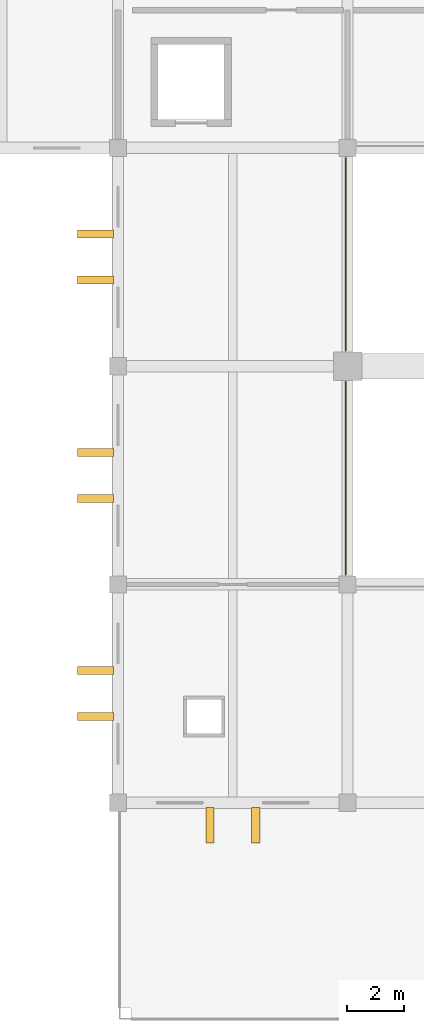
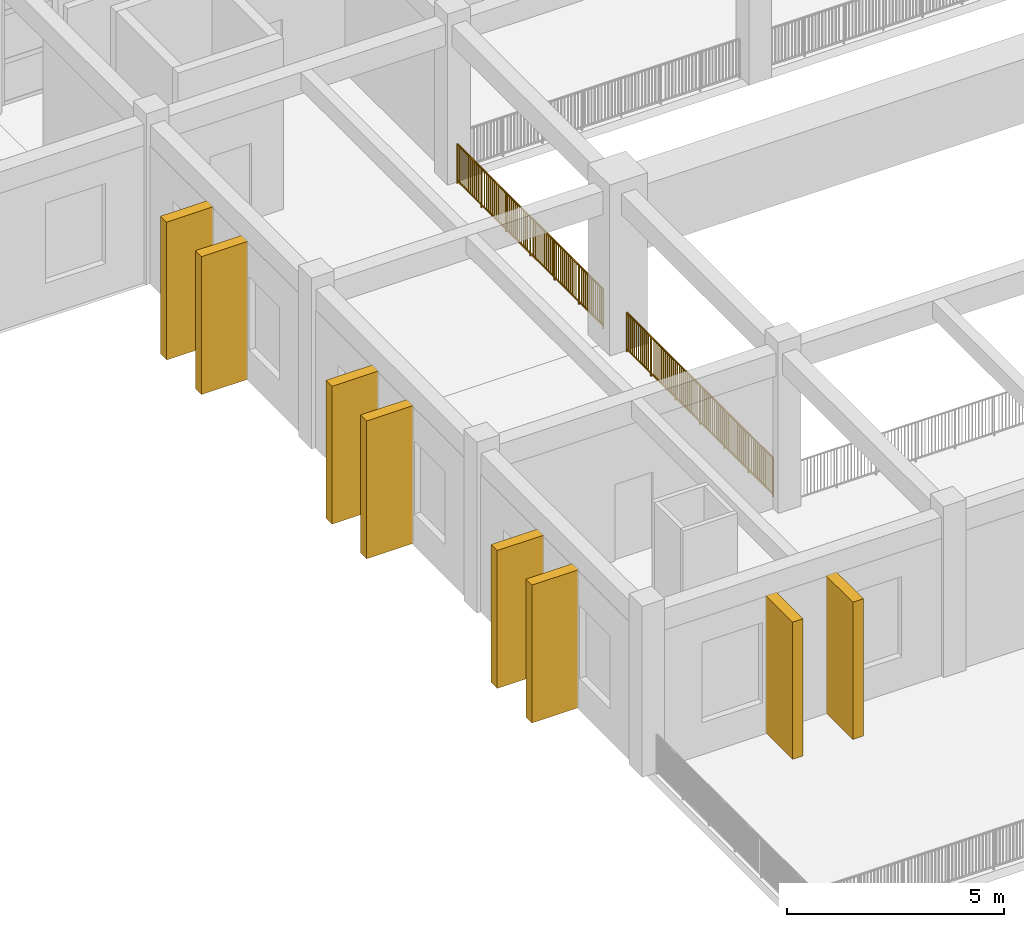
# One storey, part 92 of 101: 8 shading devices, 2 railings.
"""IFC4 building model written with IfcOpenShell, lengths in metres."""

from ifc_helpers import new_model, si_unit, direction, frame, origin, origin_2d, place, context, subcontext, project, spatial, rectangle, circle, extrude, material, type_object, element, save


model = new_model("IFC4")

# Units and contexts
model_context = context("Model", 3, precision=1e-05, world=origin(), true_north=direction((0.0, 1.0)))
body_context = subcontext(model_context, "Body", "Model", "MODEL_VIEW")
ifc_project = project(units=[si_unit("LENGTHUNIT", "METRE"), si_unit("AREAUNIT", "SQUARE_METRE"), si_unit("VOLUMEUNIT", "CUBIC_METRE"), si_unit("PLANEANGLEUNIT", "RADIAN"), si_unit("MASSUNIT", "GRAM", prefix="KILO")], contexts=[model_context])

# Site, building, storey
site_placement = place(None, origin())
site = spatial("IfcSite", under=ifc_project, at=site_placement, CompositionType="ELEMENT")
building_placement = place(site_placement, origin())
building = spatial("IfcBuilding", under=site, at=building_placement, Name="Zantavel Square City Hall", CompositionType="ELEMENT")
storey_placement = place(building_placement, frame((0.0, 0.0, 5.39990234375)))
storey = spatial("IfcBuildingStorey", under=building, at=storey_placement, Name="L02", CompositionType="ELEMENT", Elevation=5.39990234375)

# Railings
ifc_material_1 = material(Name="Steel ASTM A500 Grade B", Category="steel")
railing_type = type_object("IfcRailingType", Name="Atrium & Gallery Steel Guard Railing 1100mm", PredefinedType="GUARDRAIL", material=ifc_material_1)
railing_1_placement = place(storey_placement, frame((127.929931640625, 22.260009765625, 0.0)))
element("IfcRailing", 1, at=railing_1_placement, inside=storey, type_object=railing_type, Name="L02 Atrium Void Guard 019", PredefinedType="GUARDRAIL", context=body_context, shape_type="SweptSolid", body=[
    extrude(circle(Radius=0.02392578125, at=origin_2d()), frame((0.0, 0.0, 1.09619140625), z_axis=(0.0, -1.0, 0.0), x_axis=(1.0, 0.0, 0.0)), (0.0, 0.0, 1.0), 6.719970703125),
    extrude(rectangle(XDim=0.031982421875, YDim=0.031982421875, at=origin_2d()), frame((0.0, 0.0, 0.080078125), z_axis=(0.0, -1.0, 0.0), x_axis=(1.0, 0.0, 0.0)), (0.0, 0.0, 1.0), 6.719970703125),
    extrude(rectangle(XDim=0.02197265625, YDim=0.02197265625, at=origin_2d()), frame((0.0, -0.089599609375, 0.080078125)), (0.0, 0.0, 1.0), 0.991943359375),
    extrude(rectangle(XDim=0.02197265625, YDim=0.02197265625, at=origin_2d()), frame((0.0, -0.17919921875, 0.080078125)), (0.0, 0.0, 1.0), 0.991943359375),
    extrude(rectangle(XDim=0.02197265625, YDim=0.02197265625, at=origin_2d()), frame((0.0, -0.268798828125, 0.080078125)), (0.0, 0.0, 1.0), 0.991943359375),
    extrude(rectangle(XDim=0.02197265625, YDim=0.02197265625, at=origin_2d()), frame((0.0, -0.3583984375, 0.080078125)), (0.0, 0.0, 1.0), 0.991943359375),
    extrude(rectangle(XDim=0.02197265625, YDim=0.02197265625, at=origin_2d()), frame((0.0, -0.447998046875, 0.080078125)), (0.0, 0.0, 1.0), 0.991943359375),
    extrude(rectangle(XDim=0.02197265625, YDim=0.02197265625, at=origin_2d()), frame((0.0, -0.53759765625, 0.080078125)), (0.0, 0.0, 1.0), 0.991943359375),
    extrude(rectangle(XDim=0.02197265625, YDim=0.02197265625, at=origin_2d()), frame((0.0, -0.627197265625, 0.080078125)), (0.0, 0.0, 1.0), 0.991943359375),
    extrude(rectangle(XDim=0.02197265625, YDim=0.02197265625, at=origin_2d()), frame((0.0, -0.716796875, 0.080078125)), (0.0, 0.0, 1.0), 0.991943359375),
    extrude(rectangle(XDim=0.02197265625, YDim=0.02197265625, at=origin_2d()), frame((0.0, -0.806396484375, 0.080078125)), (0.0, 0.0, 1.0), 0.991943359375),
    extrude(rectangle(XDim=0.02197265625, YDim=0.02197265625, at=origin_2d()), frame((0.0, -0.89599609375, 0.080078125)), (0.0, 0.0, 1.0), 0.991943359375),
    extrude(rectangle(XDim=0.02197265625, YDim=0.02197265625, at=origin_2d()), frame((0.0, -0.985595703125, 0.080078125)), (0.0, 0.0, 1.0), 0.991943359375),
    extrude(rectangle(XDim=0.02197265625, YDim=0.02197265625, at=origin_2d()), frame((0.0, -1.25439453125, 0.080078125)), (0.0, 0.0, 1.0), 0.991943359375),
    extrude(rectangle(XDim=0.02197265625, YDim=0.02197265625, at=origin_2d()), frame((0.0, -1.343994140625, 0.080078125)), (0.0, 0.0, 1.0), 0.991943359375),
    extrude(rectangle(XDim=0.02197265625, YDim=0.02197265625, at=origin_2d()), frame((0.0, -1.43359375, 0.080078125)), (0.0, 0.0, 1.0), 0.991943359375),
    extrude(rectangle(XDim=0.02197265625, YDim=0.02197265625, at=origin_2d()), frame((0.0, -1.523193359375, 0.080078125)), (0.0, 0.0, 1.0), 0.991943359375),
    extrude(rectangle(XDim=0.02197265625, YDim=0.02197265625, at=origin_2d()), frame((0.0, -1.61279296875, 0.080078125)), (0.0, 0.0, 1.0), 0.991943359375),
    extrude(rectangle(XDim=0.02197265625, YDim=0.02197265625, at=origin_2d()), frame((0.0, -1.702392578125, 0.080078125)), (0.0, 0.0, 1.0), 0.991943359375),
    extrude(rectangle(XDim=0.02197265625, YDim=0.02197265625, at=origin_2d()), frame((0.0, -1.7919921875, 0.080078125)), (0.0, 0.0, 1.0), 0.991943359375),
    extrude(rectangle(XDim=0.02197265625, YDim=0.02197265625, at=origin_2d()), frame((0.0, -1.881591796875, 0.080078125)), (0.0, 0.0, 1.0), 0.991943359375),
    extrude(rectangle(XDim=0.02197265625, YDim=0.02197265625, at=origin_2d()), frame((0.0, -1.97119140625, 0.080078125)), (0.0, 0.0, 1.0), 0.991943359375),
    extrude(rectangle(XDim=0.02197265625, YDim=0.02197265625, at=origin_2d()), frame((0.0, -2.060791015625, 0.080078125)), (0.0, 0.0, 1.0), 0.991943359375),
    extrude(rectangle(XDim=0.02197265625, YDim=0.02197265625, at=origin_2d()), frame((0.0, -2.150390625, 0.080078125)), (0.0, 0.0, 1.0), 0.991943359375),
    extrude(rectangle(XDim=0.02197265625, YDim=0.02197265625, at=origin_2d()), frame((0.0, -2.32958984375, 0.080078125)), (0.0, 0.0, 1.0), 0.991943359375),
    extrude(rectangle(XDim=0.02197265625, YDim=0.02197265625, at=origin_2d()), frame((0.0, -2.419189453125, 0.080078125)), (0.0, 0.0, 1.0), 0.991943359375),
    extrude(rectangle(XDim=0.02197265625, YDim=0.02197265625, at=origin_2d()), frame((0.0, -2.5087890625, 0.080078125)), (0.0, 0.0, 1.0), 0.991943359375),
    extrude(rectangle(XDim=0.02197265625, YDim=0.02197265625, at=origin_2d()), frame((0.0, -2.598388671875, 0.080078125)), (0.0, 0.0, 1.0), 0.991943359375),
    extrude(rectangle(XDim=0.02197265625, YDim=0.02197265625, at=origin_2d()), frame((0.0, -2.68798828125, 0.080078125)), (0.0, 0.0, 1.0), 0.991943359375),
    extrude(rectangle(XDim=0.02197265625, YDim=0.02197265625, at=origin_2d()), frame((0.0, -2.777587890625, 0.080078125)), (0.0, 0.0, 1.0), 0.991943359375),
    extrude(rectangle(XDim=0.02197265625, YDim=0.02197265625, at=origin_2d()), frame((0.0, -2.8671875, 0.080078125)), (0.0, 0.0, 1.0), 0.991943359375),
    extrude(rectangle(XDim=0.02197265625, YDim=0.02197265625, at=origin_2d()), frame((0.0, -2.956787109375, 0.080078125)), (0.0, 0.0, 1.0), 0.991943359375),
    extrude(rectangle(XDim=0.02197265625, YDim=0.02197265625, at=origin_2d()), frame((0.0, -3.04638671875, 0.080078125)), (0.0, 0.0, 1.0), 0.991943359375),
    extrude(rectangle(XDim=0.02197265625, YDim=0.02197265625, at=origin_2d()), frame((0.0, -3.135986328125, 0.080078125)), (0.0, 0.0, 1.0), 0.991943359375),
    extrude(rectangle(XDim=0.02197265625, YDim=0.02197265625, at=origin_2d()), frame((0.0, -3.2255859375, 0.080078125)), (0.0, 0.0, 1.0), 0.991943359375),
    extrude(rectangle(XDim=0.02197265625, YDim=0.02197265625, at=origin_2d()), frame((0.0, -3.494384765625, 0.080078125)), (0.0, 0.0, 1.0), 0.991943359375),
    extrude(rectangle(XDim=0.02197265625, YDim=0.02197265625, at=origin_2d()), frame((0.0, -3.583984375, 0.080078125)), (0.0, 0.0, 1.0), 0.991943359375),
    extrude(rectangle(XDim=0.02197265625, YDim=0.02197265625, at=origin_2d()), frame((0.0, -3.673583984375, 0.080078125)), (0.0, 0.0, 1.0), 0.991943359375),
    extrude(rectangle(XDim=0.02197265625, YDim=0.02197265625, at=origin_2d()), frame((0.0, -3.76318359375, 0.080078125)), (0.0, 0.0, 1.0), 0.991943359375),
    extrude(rectangle(XDim=0.02197265625, YDim=0.02197265625, at=origin_2d()), frame((0.0, -3.852783203125, 0.080078125)), (0.0, 0.0, 1.0), 0.991943359375),
    extrude(rectangle(XDim=0.02197265625, YDim=0.02197265625, at=origin_2d()), frame((0.0, -3.9423828125, 0.080078125)), (0.0, 0.0, 1.0), 0.991943359375),
    extrude(rectangle(XDim=0.02197265625, YDim=0.02197265625, at=origin_2d()), frame((0.0, -4.031982421875, 0.080078125)), (0.0, 0.0, 1.0), 0.991943359375),
    extrude(rectangle(XDim=0.02197265625, YDim=0.02197265625, at=origin_2d()), frame((0.0, -4.12158203125, 0.080078125)), (0.0, 0.0, 1.0), 0.991943359375),
    extrude(rectangle(XDim=0.02197265625, YDim=0.02197265625, at=origin_2d()), frame((0.0, -4.211181640625, 0.080078125)), (0.0, 0.0, 1.0), 0.991943359375),
    extrude(rectangle(XDim=0.02197265625, YDim=0.02197265625, at=origin_2d()), frame((0.0, -4.30078125, 0.080078125)), (0.0, 0.0, 1.0), 0.991943359375),
    extrude(rectangle(XDim=0.02197265625, YDim=0.02197265625, at=origin_2d()), frame((0.0, -4.390380859375, 0.080078125)), (0.0, 0.0, 1.0), 0.991943359375),
    extrude(rectangle(XDim=0.02197265625, YDim=0.02197265625, at=origin_2d()), frame((0.0, -4.569580078125, 0.080078125)), (0.0, 0.0, 1.0), 0.991943359375),
    extrude(rectangle(XDim=0.02197265625, YDim=0.02197265625, at=origin_2d()), frame((0.0, -4.6591796875, 0.080078125)), (0.0, 0.0, 1.0), 0.991943359375),
    extrude(rectangle(XDim=0.02197265625, YDim=0.02197265625, at=origin_2d()), frame((0.0, -4.748779296875, 0.080078125)), (0.0, 0.0, 1.0), 0.991943359375),
    extrude(rectangle(XDim=0.02197265625, YDim=0.02197265625, at=origin_2d()), frame((0.0, -4.83837890625, 0.080078125)), (0.0, 0.0, 1.0), 0.991943359375),
    extrude(rectangle(XDim=0.02197265625, YDim=0.02197265625, at=origin_2d()), frame((0.0, -4.927978515625, 0.080078125)), (0.0, 0.0, 1.0), 0.991943359375),
    extrude(rectangle(XDim=0.02197265625, YDim=0.02197265625, at=origin_2d()), frame((0.0, -5.017578125, 0.080078125)), (0.0, 0.0, 1.0), 0.991943359375),
    extrude(rectangle(XDim=0.02197265625, YDim=0.02197265625, at=origin_2d()), frame((0.0, -5.107177734375, 0.080078125)), (0.0, 0.0, 1.0), 0.991943359375),
    extrude(rectangle(XDim=0.02197265625, YDim=0.02197265625, at=origin_2d()), frame((0.0, -5.19677734375, 0.080078125)), (0.0, 0.0, 1.0), 0.991943359375),
    extrude(rectangle(XDim=0.02197265625, YDim=0.02197265625, at=origin_2d()), frame((0.0, -5.286376953125, 0.080078125)), (0.0, 0.0, 1.0), 0.991943359375),
    extrude(rectangle(XDim=0.02197265625, YDim=0.02197265625, at=origin_2d()), frame((0.0, -5.3759765625, 0.080078125)), (0.0, 0.0, 1.0), 0.991943359375),
    extrude(rectangle(XDim=0.02197265625, YDim=0.02197265625, at=origin_2d()), frame((0.0, -5.465576171875, 0.080078125)), (0.0, 0.0, 1.0), 0.991943359375),
    extrude(rectangle(XDim=0.02197265625, YDim=0.02197265625, at=origin_2d()), frame((0.0, -5.734375, 0.080078125)), (0.0, 0.0, 1.0), 0.991943359375),
    extrude(rectangle(XDim=0.02197265625, YDim=0.02197265625, at=origin_2d()), frame((0.0, -5.823974609375, 0.080078125)), (0.0, 0.0, 1.0), 0.991943359375),
    extrude(rectangle(XDim=0.02197265625, YDim=0.02197265625, at=origin_2d()), frame((0.0, -5.91357421875, 0.080078125)), (0.0, 0.0, 1.0), 0.991943359375),
    extrude(rectangle(XDim=0.02197265625, YDim=0.02197265625, at=origin_2d()), frame((0.0, -6.003173828125, 0.080078125)), (0.0, 0.0, 1.0), 0.991943359375),
    extrude(rectangle(XDim=0.02197265625, YDim=0.02197265625, at=origin_2d()), frame((0.0, -6.0927734375, 0.080078125)), (0.0, 0.0, 1.0), 0.991943359375),
    extrude(rectangle(XDim=0.02197265625, YDim=0.02197265625, at=origin_2d()), frame((0.0, -6.182373046875, 0.080078125)), (0.0, 0.0, 1.0), 0.991943359375),
    extrude(rectangle(XDim=0.02197265625, YDim=0.02197265625, at=origin_2d()), frame((0.0, -6.27197265625, 0.080078125)), (0.0, 0.0, 1.0), 0.991943359375),
    extrude(rectangle(XDim=0.02197265625, YDim=0.02197265625, at=origin_2d()), frame((0.0, -6.361572265625, 0.080078125)), (0.0, 0.0, 1.0), 0.991943359375),
    extrude(rectangle(XDim=0.02197265625, YDim=0.02197265625, at=origin_2d()), frame((0.0, -6.451171875, 0.080078125)), (0.0, 0.0, 1.0), 0.991943359375),
    extrude(rectangle(XDim=0.02197265625, YDim=0.02197265625, at=origin_2d()), frame((0.0, -6.540771484375, 0.080078125)), (0.0, 0.0, 1.0), 0.991943359375),
    extrude(rectangle(XDim=0.02197265625, YDim=0.02197265625, at=origin_2d()), frame((0.0, -6.63037109375, 0.080078125)), (0.0, 0.0, 1.0), 0.991943359375),
    extrude(circle(Radius=0.02099609375, at=origin_2d()), origin(), (0.0, 0.0, 1.0), 1.072021484375),
    extrude(circle(Radius=0.02099609375, at=origin_2d()), frame((0.0, -1.1201171875, 0.0)), (0.0, 0.0, 1.0), 1.072021484375),
    extrude(circle(Radius=0.02099609375, at=origin_2d()), frame((0.0, -2.239990234375, 0.0)), (0.0, 0.0, 1.0), 1.072021484375),
    extrude(circle(Radius=0.02099609375, at=origin_2d()), frame((0.0, -3.35986328125, 0.0)), (0.0, 0.0, 1.0), 1.072021484375),
    extrude(circle(Radius=0.02099609375, at=origin_2d()), frame((0.0, -4.47998046875, 0.0)), (0.0, 0.0, 1.0), 1.072021484375),
    extrude(circle(Radius=0.02099609375, at=origin_2d()), frame((0.0, -5.60009765625, 0.0)), (0.0, 0.0, 1.0), 1.072021484375),
    extrude(circle(Radius=0.02099609375, at=origin_2d()), frame((0.0, -6.719970703125, 0.0)), (0.0, 0.0, 1.0), 1.072021484375),
])
railing_2_placement = place(storey_placement, frame((127.929931640625, 30.06005859375, 0.0)))
element("IfcRailing", 2, at=railing_2_placement, inside=storey, type_object=railing_type, Name="L02 Atrium Void Guard 020", PredefinedType="GUARDRAIL", context=body_context, shape_type="SweptSolid", body=[
    extrude(circle(Radius=0.02392578125, at=origin_2d()), frame((0.0, 0.0, 1.09619140625), z_axis=(0.0, -1.0, 0.0), x_axis=(1.0, 0.0, 0.0)), (0.0, 0.0, 1.0), 6.719970703125),
    extrude(rectangle(XDim=0.031982421875, YDim=0.031982421875, at=origin_2d()), frame((0.0, 0.0, 0.080078125), z_axis=(0.0, -1.0, 0.0), x_axis=(1.0, 0.0, 0.0)), (0.0, 0.0, 1.0), 6.719970703125),
    extrude(rectangle(XDim=0.02197265625, YDim=0.02197265625, at=origin_2d()), frame((0.0, -0.089599609375, 0.080078125)), (0.0, 0.0, 1.0), 0.991943359375),
    extrude(rectangle(XDim=0.02197265625, YDim=0.02197265625, at=origin_2d()), frame((0.0, -0.17919921875, 0.080078125)), (0.0, 0.0, 1.0), 0.991943359375),
    extrude(rectangle(XDim=0.02197265625, YDim=0.02197265625, at=origin_2d()), frame((0.0, -0.268798828125, 0.080078125)), (0.0, 0.0, 1.0), 0.991943359375),
    extrude(rectangle(XDim=0.02197265625, YDim=0.02197265625, at=origin_2d()), frame((0.0, -0.3583984375, 0.080078125)), (0.0, 0.0, 1.0), 0.991943359375),
    extrude(rectangle(XDim=0.02197265625, YDim=0.02197265625, at=origin_2d()), frame((0.0, -0.447998046875, 0.080078125)), (0.0, 0.0, 1.0), 0.991943359375),
    extrude(rectangle(XDim=0.02197265625, YDim=0.02197265625, at=origin_2d()), frame((0.0, -0.53759765625, 0.080078125)), (0.0, 0.0, 1.0), 0.991943359375),
    extrude(rectangle(XDim=0.02197265625, YDim=0.02197265625, at=origin_2d()), frame((0.0, -0.627197265625, 0.080078125)), (0.0, 0.0, 1.0), 0.991943359375),
    extrude(rectangle(XDim=0.02197265625, YDim=0.02197265625, at=origin_2d()), frame((0.0, -0.716796875, 0.080078125)), (0.0, 0.0, 1.0), 0.991943359375),
    extrude(rectangle(XDim=0.02197265625, YDim=0.02197265625, at=origin_2d()), frame((0.0, -0.806396484375, 0.080078125)), (0.0, 0.0, 1.0), 0.991943359375),
    extrude(rectangle(XDim=0.02197265625, YDim=0.02197265625, at=origin_2d()), frame((0.0, -0.89599609375, 0.080078125)), (0.0, 0.0, 1.0), 0.991943359375),
    extrude(rectangle(XDim=0.02197265625, YDim=0.02197265625, at=origin_2d()), frame((0.0, -0.985595703125, 0.080078125)), (0.0, 0.0, 1.0), 0.991943359375),
    extrude(rectangle(XDim=0.02197265625, YDim=0.02197265625, at=origin_2d()), frame((0.0, -1.25439453125, 0.080078125)), (0.0, 0.0, 1.0), 0.991943359375),
    extrude(rectangle(XDim=0.02197265625, YDim=0.02197265625, at=origin_2d()), frame((0.0, -1.343994140625, 0.080078125)), (0.0, 0.0, 1.0), 0.991943359375),
    extrude(rectangle(XDim=0.02197265625, YDim=0.02197265625, at=origin_2d()), frame((0.0, -1.43359375, 0.080078125)), (0.0, 0.0, 1.0), 0.991943359375),
    extrude(rectangle(XDim=0.02197265625, YDim=0.02197265625, at=origin_2d()), frame((0.0, -1.523193359375, 0.080078125)), (0.0, 0.0, 1.0), 0.991943359375),
    extrude(rectangle(XDim=0.02197265625, YDim=0.02197265625, at=origin_2d()), frame((0.0, -1.61279296875, 0.080078125)), (0.0, 0.0, 1.0), 0.991943359375),
    extrude(rectangle(XDim=0.02197265625, YDim=0.02197265625, at=origin_2d()), frame((0.0, -1.702392578125, 0.080078125)), (0.0, 0.0, 1.0), 0.991943359375),
    extrude(rectangle(XDim=0.02197265625, YDim=0.02197265625, at=origin_2d()), frame((0.0, -1.7919921875, 0.080078125)), (0.0, 0.0, 1.0), 0.991943359375),
    extrude(rectangle(XDim=0.02197265625, YDim=0.02197265625, at=origin_2d()), frame((0.0, -1.881591796875, 0.080078125)), (0.0, 0.0, 1.0), 0.991943359375),
    extrude(rectangle(XDim=0.02197265625, YDim=0.02197265625, at=origin_2d()), frame((0.0, -1.97119140625, 0.080078125)), (0.0, 0.0, 1.0), 0.991943359375),
    extrude(rectangle(XDim=0.02197265625, YDim=0.02197265625, at=origin_2d()), frame((0.0, -2.060791015625, 0.080078125)), (0.0, 0.0, 1.0), 0.991943359375),
    extrude(rectangle(XDim=0.02197265625, YDim=0.02197265625, at=origin_2d()), frame((0.0, -2.150390625, 0.080078125)), (0.0, 0.0, 1.0), 0.991943359375),
    extrude(rectangle(XDim=0.02197265625, YDim=0.02197265625, at=origin_2d()), frame((0.0, -2.32958984375, 0.080078125)), (0.0, 0.0, 1.0), 0.991943359375),
    extrude(rectangle(XDim=0.02197265625, YDim=0.02197265625, at=origin_2d()), frame((0.0, -2.419189453125, 0.080078125)), (0.0, 0.0, 1.0), 0.991943359375),
    extrude(rectangle(XDim=0.02197265625, YDim=0.02197265625, at=origin_2d()), frame((0.0, -2.5087890625, 0.080078125)), (0.0, 0.0, 1.0), 0.991943359375),
    extrude(rectangle(XDim=0.02197265625, YDim=0.02197265625, at=origin_2d()), frame((0.0, -2.598388671875, 0.080078125)), (0.0, 0.0, 1.0), 0.991943359375),
    extrude(rectangle(XDim=0.02197265625, YDim=0.02197265625, at=origin_2d()), frame((0.0, -2.68798828125, 0.080078125)), (0.0, 0.0, 1.0), 0.991943359375),
    extrude(rectangle(XDim=0.02197265625, YDim=0.02197265625, at=origin_2d()), frame((0.0, -2.777587890625, 0.080078125)), (0.0, 0.0, 1.0), 0.991943359375),
    extrude(rectangle(XDim=0.02197265625, YDim=0.02197265625, at=origin_2d()), frame((0.0, -2.8671875, 0.080078125)), (0.0, 0.0, 1.0), 0.991943359375),
    extrude(rectangle(XDim=0.02197265625, YDim=0.02197265625, at=origin_2d()), frame((0.0, -2.956787109375, 0.080078125)), (0.0, 0.0, 1.0), 0.991943359375),
    extrude(rectangle(XDim=0.02197265625, YDim=0.02197265625, at=origin_2d()), frame((0.0, -3.04638671875, 0.080078125)), (0.0, 0.0, 1.0), 0.991943359375),
    extrude(rectangle(XDim=0.02197265625, YDim=0.02197265625, at=origin_2d()), frame((0.0, -3.135986328125, 0.080078125)), (0.0, 0.0, 1.0), 0.991943359375),
    extrude(rectangle(XDim=0.02197265625, YDim=0.02197265625, at=origin_2d()), frame((0.0, -3.2255859375, 0.080078125)), (0.0, 0.0, 1.0), 0.991943359375),
    extrude(rectangle(XDim=0.02197265625, YDim=0.02197265625, at=origin_2d()), frame((0.0, -3.494384765625, 0.080078125)), (0.0, 0.0, 1.0), 0.991943359375),
    extrude(rectangle(XDim=0.02197265625, YDim=0.02197265625, at=origin_2d()), frame((0.0, -3.583984375, 0.080078125)), (0.0, 0.0, 1.0), 0.991943359375),
    extrude(rectangle(XDim=0.02197265625, YDim=0.02197265625, at=origin_2d()), frame((0.0, -3.673583984375, 0.080078125)), (0.0, 0.0, 1.0), 0.991943359375),
    extrude(rectangle(XDim=0.02197265625, YDim=0.02197265625, at=origin_2d()), frame((0.0, -3.76318359375, 0.080078125)), (0.0, 0.0, 1.0), 0.991943359375),
    extrude(rectangle(XDim=0.02197265625, YDim=0.02197265625, at=origin_2d()), frame((0.0, -3.852783203125, 0.080078125)), (0.0, 0.0, 1.0), 0.991943359375),
    extrude(rectangle(XDim=0.02197265625, YDim=0.02197265625, at=origin_2d()), frame((0.0, -3.9423828125, 0.080078125)), (0.0, 0.0, 1.0), 0.991943359375),
    extrude(rectangle(XDim=0.02197265625, YDim=0.02197265625, at=origin_2d()), frame((0.0, -4.031982421875, 0.080078125)), (0.0, 0.0, 1.0), 0.991943359375),
    extrude(rectangle(XDim=0.02197265625, YDim=0.02197265625, at=origin_2d()), frame((0.0, -4.12158203125, 0.080078125)), (0.0, 0.0, 1.0), 0.991943359375),
    extrude(rectangle(XDim=0.02197265625, YDim=0.02197265625, at=origin_2d()), frame((0.0, -4.211181640625, 0.080078125)), (0.0, 0.0, 1.0), 0.991943359375),
    extrude(rectangle(XDim=0.02197265625, YDim=0.02197265625, at=origin_2d()), frame((0.0, -4.30078125, 0.080078125)), (0.0, 0.0, 1.0), 0.991943359375),
    extrude(rectangle(XDim=0.02197265625, YDim=0.02197265625, at=origin_2d()), frame((0.0, -4.390380859375, 0.080078125)), (0.0, 0.0, 1.0), 0.991943359375),
    extrude(rectangle(XDim=0.02197265625, YDim=0.02197265625, at=origin_2d()), frame((0.0, -4.569580078125, 0.080078125)), (0.0, 0.0, 1.0), 0.991943359375),
    extrude(rectangle(XDim=0.02197265625, YDim=0.02197265625, at=origin_2d()), frame((0.0, -4.6591796875, 0.080078125)), (0.0, 0.0, 1.0), 0.991943359375),
    extrude(rectangle(XDim=0.02197265625, YDim=0.02197265625, at=origin_2d()), frame((0.0, -4.748779296875, 0.080078125)), (0.0, 0.0, 1.0), 0.991943359375),
    extrude(rectangle(XDim=0.02197265625, YDim=0.02197265625, at=origin_2d()), frame((0.0, -4.83837890625, 0.080078125)), (0.0, 0.0, 1.0), 0.991943359375),
    extrude(rectangle(XDim=0.02197265625, YDim=0.02197265625, at=origin_2d()), frame((0.0, -4.927978515625, 0.080078125)), (0.0, 0.0, 1.0), 0.991943359375),
    extrude(rectangle(XDim=0.02197265625, YDim=0.02197265625, at=origin_2d()), frame((0.0, -5.017578125, 0.080078125)), (0.0, 0.0, 1.0), 0.991943359375),
    extrude(rectangle(XDim=0.02197265625, YDim=0.02197265625, at=origin_2d()), frame((0.0, -5.107177734375, 0.080078125)), (0.0, 0.0, 1.0), 0.991943359375),
    extrude(rectangle(XDim=0.02197265625, YDim=0.02197265625, at=origin_2d()), frame((0.0, -5.19677734375, 0.080078125)), (0.0, 0.0, 1.0), 0.991943359375),
    extrude(rectangle(XDim=0.02197265625, YDim=0.02197265625, at=origin_2d()), frame((0.0, -5.286376953125, 0.080078125)), (0.0, 0.0, 1.0), 0.991943359375),
    extrude(rectangle(XDim=0.02197265625, YDim=0.02197265625, at=origin_2d()), frame((0.0, -5.3759765625, 0.080078125)), (0.0, 0.0, 1.0), 0.991943359375),
    extrude(rectangle(XDim=0.02197265625, YDim=0.02197265625, at=origin_2d()), frame((0.0, -5.465576171875, 0.080078125)), (0.0, 0.0, 1.0), 0.991943359375),
    extrude(rectangle(XDim=0.02197265625, YDim=0.02197265625, at=origin_2d()), frame((0.0, -5.734375, 0.080078125)), (0.0, 0.0, 1.0), 0.991943359375),
    extrude(rectangle(XDim=0.02197265625, YDim=0.02197265625, at=origin_2d()), frame((0.0, -5.823974609375, 0.080078125)), (0.0, 0.0, 1.0), 0.991943359375),
    extrude(rectangle(XDim=0.02197265625, YDim=0.02197265625, at=origin_2d()), frame((0.0, -5.91357421875, 0.080078125)), (0.0, 0.0, 1.0), 0.991943359375),
    extrude(rectangle(XDim=0.02197265625, YDim=0.02197265625, at=origin_2d()), frame((0.0, -6.003173828125, 0.080078125)), (0.0, 0.0, 1.0), 0.991943359375),
    extrude(rectangle(XDim=0.02197265625, YDim=0.02197265625, at=origin_2d()), frame((0.0, -6.0927734375, 0.080078125)), (0.0, 0.0, 1.0), 0.991943359375),
    extrude(rectangle(XDim=0.02197265625, YDim=0.02197265625, at=origin_2d()), frame((0.0, -6.182373046875, 0.080078125)), (0.0, 0.0, 1.0), 0.991943359375),
    extrude(rectangle(XDim=0.02197265625, YDim=0.02197265625, at=origin_2d()), frame((0.0, -6.27197265625, 0.080078125)), (0.0, 0.0, 1.0), 0.991943359375),
    extrude(rectangle(XDim=0.02197265625, YDim=0.02197265625, at=origin_2d()), frame((0.0, -6.361572265625, 0.080078125)), (0.0, 0.0, 1.0), 0.991943359375),
    extrude(rectangle(XDim=0.02197265625, YDim=0.02197265625, at=origin_2d()), frame((0.0, -6.451171875, 0.080078125)), (0.0, 0.0, 1.0), 0.991943359375),
    extrude(rectangle(XDim=0.02197265625, YDim=0.02197265625, at=origin_2d()), frame((0.0, -6.540771484375, 0.080078125)), (0.0, 0.0, 1.0), 0.991943359375),
    extrude(rectangle(XDim=0.02197265625, YDim=0.02197265625, at=origin_2d()), frame((0.0, -6.63037109375, 0.080078125)), (0.0, 0.0, 1.0), 0.991943359375),
    extrude(circle(Radius=0.02099609375, at=origin_2d()), origin(), (0.0, 0.0, 1.0), 1.072021484375),
    extrude(circle(Radius=0.02099609375, at=origin_2d()), frame((0.0, -1.1201171875, 0.0)), (0.0, 0.0, 1.0), 1.072021484375),
    extrude(circle(Radius=0.02099609375, at=origin_2d()), frame((0.0, -2.239990234375, 0.0)), (0.0, 0.0, 1.0), 1.072021484375),
    extrude(circle(Radius=0.02099609375, at=origin_2d()), frame((0.0, -3.35986328125, 0.0)), (0.0, 0.0, 1.0), 1.072021484375),
    extrude(circle(Radius=0.02099609375, at=origin_2d()), frame((0.0, -4.47998046875, 0.0)), (0.0, 0.0, 1.0), 1.072021484375),
    extrude(circle(Radius=0.02099609375, at=origin_2d()), frame((0.0, -5.60009765625, 0.0)), (0.0, 0.0, 1.0), 1.072021484375),
    extrude(circle(Radius=0.02099609375, at=origin_2d()), frame((0.0, -6.719970703125, 0.0)), (0.0, 0.0, 1.0), 1.072021484375),
])

# Shading devices
ifc_material_2 = material(Name="Cantera volcanic tuff stone", Category="masonry")
shading_device_type = type_object("IfcShadingDeviceType", Name="Cantera Vertical Solar Shading Pier 280x1240", PredefinedType="USERDEFINED", material=ifc_material_2)
for number, where, z_axis, x_axis, name in (
    (3, (124.800048828125, 6.820068359375, 0.0), (0.0, 0.0, 1.0), (1.0, 0.0, 0.0), "L02 Cantera Solar Pier 007"),
    (4, (123.199951171875, 6.820068359375, 0.0), (0.0, 0.0, 1.0), (1.0, 0.0, 0.0), "L02 Cantera Solar Pier 008"),
):
    element("IfcShadingDevice", number, at=place(storey_placement, frame(where, z_axis=z_axis, x_axis=x_axis)), inside=storey, type_object=shading_device_type, Name=name, ObjectType="FIN", PredefinedType="USERDEFINED", context=body_context, shape_type="SweptSolid", body=[
        extrude(rectangle(XDim=0.280029296875, YDim=1.239990234375, at=origin_2d()), origin(), (0.0, 0.0, 1.0), 3.85009765625),
    ])
for number, where, z_axis, x_axis, name in (
    (5, (119.219970703125, 10.60009765625, 0.0), (0.0, 0.0, 1.0), (1.0, 0.0, 0.0), "L02 Cantera Solar Pier 009"),
    (6, (119.219970703125, 12.199951171875, 0.0), (0.0, 0.0, 1.0), (1.0, 0.0, 0.0), "L02 Cantera Solar Pier 010"),
    (7, (119.219970703125, 18.199951171875, 0.0), (0.0, 0.0, 1.0), (1.0, 0.0, 0.0), "L02 Cantera Solar Pier 011"),
    (8, (119.219970703125, 19.800048828125, 0.0), (0.0, 0.0, 1.0), (1.0, 0.0, 0.0), "L02 Cantera Solar Pier 012"),
    (9, (119.219970703125, 25.800048828125, 0.0), (0.0, 0.0, 1.0), (1.0, 0.0, 0.0), "L02 Cantera Solar Pier 013"),
    (10, (119.219970703125, 27.39990234375, 0.0), (0.0, 0.0, 1.0), (1.0, 0.0, 0.0), "L02 Cantera Solar Pier 014"),
):
    element("IfcShadingDevice", number, at=place(storey_placement, frame(where, z_axis=z_axis, x_axis=x_axis)), inside=storey, type_object=shading_device_type, Name=name, ObjectType="FIN", PredefinedType="USERDEFINED", context=body_context, shape_type="SweptSolid", body=[
        extrude(rectangle(XDim=1.239990234375, YDim=0.280029296875, at=origin_2d()), origin(), (0.0, 0.0, 1.0), 3.8701171875),
    ])

save(model, "model.ifc")
